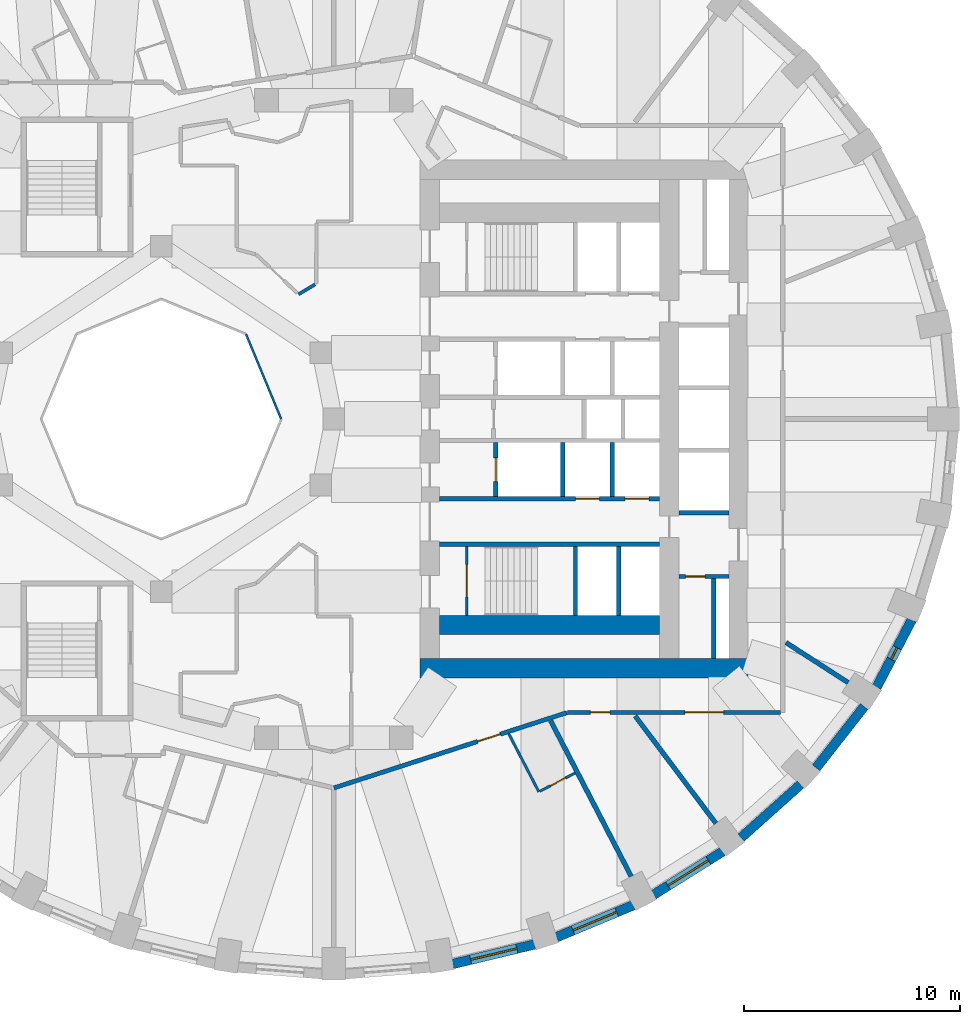
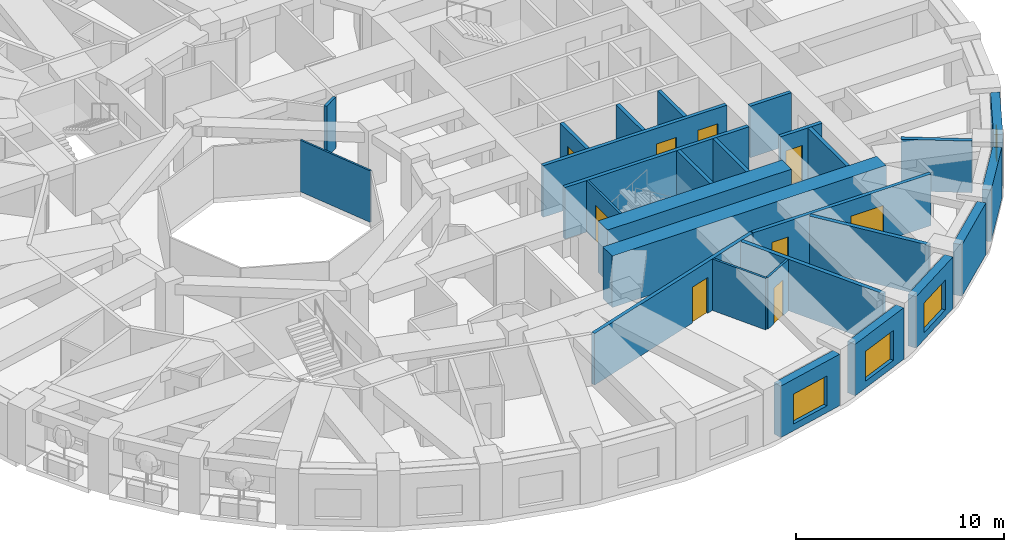
# One storey, part 5 of 13: 28 walls, 9 doors, 4 windows, 13 openings.
"""IFC4 building model written with IfcOpenShell, lengths in metres."""

from ifc_helpers import new_model, si_unit, direction, frame, frame_2d, origin, place, context, subcontext, project, spatial, rectangle, extrude, material, layer, layer_set, type_object, element, fill, save


model = new_model("IFC4")

# Units and contexts
model_context = context("Model", 3, precision=1e-05, world=origin(), true_north=direction((0.0, 1.0)))
body_context = subcontext(model_context, "Body", "Model", "MODEL_VIEW")
ifc_project = project(units=[si_unit("LENGTHUNIT", "METRE"), si_unit("AREAUNIT", "SQUARE_METRE"), si_unit("VOLUMEUNIT", "CUBIC_METRE"), si_unit("PLANEANGLEUNIT", "RADIAN"), si_unit("MASSUNIT", "GRAM", prefix="KILO")], contexts=[model_context])

# Site, building, storey
site_placement = place(None, origin())
site = spatial("IfcSite", under=ifc_project, at=site_placement, CompositionType="ELEMENT")
building_placement = place(site_placement, origin())
building = spatial("IfcBuilding", under=site, at=building_placement, Name="Taillehof Tower", CompositionType="ELEMENT")
storey_placement = place(building_placement, frame((0.0, 0.0, 51.39990234375)))
storey = spatial("IfcBuildingStorey", under=building, at=storey_placement, Name="L13", CompositionType="ELEMENT", Elevation=51.39990234375)

# Wall
ifc_material_1 = material(Name="Fire-resisting glass in steel frame", Category="steel")
ifc_layer_1 = layer(ifc_material_1, 0.10009765625)
ifc_layer_set_1 = layer_set([ifc_layer_1], Name="Atrium fire-resisting screen EI 60 100")
wall_type_1 = type_object("IfcWallType", Name="Atrium fire-resisting screen EI 60 100", PredefinedType="PARTITIONING", material=ifc_layer_set_1)
wall_1_placement = place(storey_placement, frame((-4.07275390625, 3.92724609375, 0.0), z_axis=(0.0, 0.0, 1.0), x_axis=(0.382730523909, -0.923860025149, 0.0)))
element("IfcWall", 1, at=wall_1_placement, inside=storey, type_object=wall_type_1, Name="Atrium screen", PredefinedType="PARTITIONING", context=body_context, shape_type="SweptSolid", body=[
    extrude(rectangle(XDim=4.2509765625, YDim=0.10009765625, at=frame_2d((2.12548828125, 0.0))), origin(), (0.0, 0.0, 1.0), 3.02001953125),
])

# Wall, opening, window
ifc_material_2 = material(Name="Brick masonry", Category="masonry")
ifc_layer_2 = layer(ifc_material_2, 0.449951171875)
ifc_layer_set_2 = layer_set([ifc_layer_2], Name="Brick infill wall 450")
wall_type_2 = type_object("IfcWallType", Name="Brick infill wall 450", PredefinedType="SOLIDWALL", material=ifc_layer_set_2)
wall_2_placement = place(storey_placement, frame((5.50439453125, -25.260498046875, 0.0), z_axis=(0.0, 0.0, 1.0), x_axis=(0.972496561493, 0.232917233979, 0.0)))
wall_2 = element("IfcWall", 2, at=wall_2_placement, inside=storey, type_object=wall_type_2, Name="Brick wall L13 bay 29", PredefinedType="SOLIDWALL", context=body_context, shape_type="SweptSolid", body=[
    extrude(rectangle(XDim=3.910888671875, YDim=0.449951171875, at=frame_2d((1.95556640625, 0.0))), origin(), (0.0, 0.0, 1.0), 3.02001953125),
])
opening_1_placement = place(wall_2_placement, frame((0.855224609375, 0.0, 0.39990234375)))
opening_1 = element("IfcOpeningElement", 3, at=opening_1_placement, cuts=wall_2, Name="Opening W1", PredefinedType="OPENING", context=body_context, shape_type="SweptSolid", body=[
    extrude(rectangle(XDim=2.199951171875, YDim=1.75, at=frame_2d((1.10009765625, 0.875))), frame((0.0, 0.23486328125, 0.0), z_axis=(0.0, -1.0, 0.0), x_axis=(1.0, 0.0, 0.0)), (0.0, 0.0, 1.0), 0.469970703125),
])
ifc_material_3 = material(Name="Aluminium window frame with clear double glazing", Category="aluminium")
window_type_1 = type_object("IfcWindowType", Name="Deep-set window 2200x1750", PartitioningType="SINGLE_PANEL", PredefinedType="WINDOW", material=ifc_material_3)
window_1_placement = place(opening_1_placement, origin())
window_1 = element("IfcWindow", 4, at=window_1_placement, inside=storey, type_object=window_type_1, Name="W1", OverallHeight=1.75, OverallWidth=2.199951171875, PartitioningType="SINGLE_PANEL", PredefinedType="WINDOW", context=body_context, shape_type="SweptSolid", body=[
    extrude(rectangle(XDim=2.199951171875, YDim=1.75, at=frame_2d((1.10009765625, 0.875))), frame((0.0, 0.034912109375, 0.0), z_axis=(0.0, -1.0, 0.0), x_axis=(1.0, 0.0, 0.0)), (0.0, 0.0, 1.0), 0.06005859375),
])
fill(opening_1, window_1)

wall_3_placement = place(storey_placement, frame((10.3154296875, -24.02099609375, 0.0), z_axis=(0.0, 0.0, 1.0), x_axis=(0.923031964282, 0.384723267966, 0.0)))
wall_3 = element("IfcWall", 5, at=wall_3_placement, inside=storey, type_object=wall_type_2, Name="Brick wall L13 bay 30", PredefinedType="SOLIDWALL", context=body_context, shape_type="SweptSolid", body=[
    extrude(rectangle(XDim=3.8564453125, YDim=0.449951171875, at=frame_2d((1.92822265625, 0.0))), origin(), (0.0, 0.0, 1.0), 3.02001953125),
])
opening_2_placement = place(wall_3_placement, frame((0.828125, 0.0, 0.39990234375)))
opening_2 = element("IfcOpeningElement", 6, at=opening_2_placement, cuts=wall_3, Name="Opening W1", PredefinedType="OPENING", context=body_context, shape_type="SweptSolid", body=[
    extrude(rectangle(XDim=2.199951171875, YDim=1.75, at=frame_2d((1.10009765625, 0.875))), frame((0.0, 0.23486328125, 0.0), z_axis=(0.0, -1.0, 0.0), x_axis=(1.0, 0.0, 0.0)), (0.0, 0.0, 1.0), 0.469970703125),
])
window_2_placement = place(opening_2_placement, origin())
window_2 = element("IfcWindow", 7, at=window_2_placement, inside=storey, type_object=window_type_1, Name="W1", OverallHeight=1.75, OverallWidth=2.199951171875, PartitioningType="SINGLE_PANEL", PredefinedType="WINDOW", context=body_context, shape_type="SweptSolid", body=[
    extrude(rectangle(XDim=2.199951171875, YDim=1.75, at=frame_2d((1.10009765625, 0.875))), frame((0.0, 0.034912109375, 0.0), z_axis=(0.0, -1.0, 0.0), x_axis=(1.0, 0.0, 0.0)), (0.0, 0.0, 1.0), 0.06005859375),
])
fill(opening_2, window_2)

wall_4_placement = place(storey_placement, frame((14.81689453125, -22.050537109375, 0.0), z_axis=(0.0, 0.0, 1.0), x_axis=(0.847635480093, 0.530579016629, 0.0)))
wall_4 = element("IfcWall", 8, at=wall_4_placement, inside=storey, type_object=wall_type_2, Name="Brick wall L13 bay 31", PredefinedType="SOLIDWALL", context=body_context, shape_type="SweptSolid", body=[
    extrude(rectangle(XDim=3.782470703125, YDim=0.449951171875, at=frame_2d((1.89111328125, 0.0))), origin(), (0.0, 0.0, 1.0), 3.02001953125),
])
opening_3_placement = place(wall_4_placement, frame((0.791259765625, 0.0, 0.39990234375)))
opening_3 = element("IfcOpeningElement", 9, at=opening_3_placement, cuts=wall_4, Name="Opening W1", PredefinedType="OPENING", context=body_context, shape_type="SweptSolid", body=[
    extrude(rectangle(XDim=2.199951171875, YDim=1.75, at=frame_2d((1.10009765625, 0.875))), frame((0.0, 0.23486328125, 0.0), z_axis=(0.0, -1.0, 0.0), x_axis=(1.0, 0.0, 0.0)), (0.0, 0.0, 1.0), 0.469970703125),
])
window_3_placement = place(opening_3_placement, origin())
window_3 = element("IfcWindow", 10, at=window_3_placement, inside=storey, type_object=window_type_1, Name="W1", OverallHeight=1.75, OverallWidth=2.199951171875, PartitioningType="SINGLE_PANEL", PredefinedType="WINDOW", context=body_context, shape_type="SweptSolid", body=[
    extrude(rectangle(XDim=2.199951171875, YDim=1.75, at=frame_2d((1.10009765625, 0.875))), frame((0.0, 0.034912109375, 0.0), z_axis=(0.0, -1.0, 0.0), x_axis=(1.0, 0.0, 0.0)), (0.0, 0.0, 1.0), 0.06005859375),
])
fill(opening_3, window_3)

# Walls
wall_5_placement = place(storey_placement, frame((18.87060546875, -19.406982421875, 0.0), z_axis=(0.0, 0.0, 1.0), x_axis=(0.745526233716, 0.66647628228, 0.0)))
element("IfcWall", 11, at=wall_5_placement, inside=storey, type_object=wall_type_2, Name="Brick wall L13 bay 32", PredefinedType="SOLIDWALL", context=body_context, shape_type="SweptSolid", body=[
    extrude(rectangle(XDim=3.69677734375, YDim=0.449951171875, at=frame_2d((1.848388671875, 0.0))), origin(), (0.0, 0.0, 1.0), 3.02001953125),
])
wall_6_placement = place(storey_placement, frame((22.3515625, -16.169677734375, 0.0), z_axis=(0.0, 0.0, 1.0), x_axis=(0.616661975264, 0.787228053529, 0.0)))
element("IfcWall", 12, at=wall_6_placement, inside=storey, type_object=wall_type_2, Name="Brick wall L13 bay 33", PredefinedType="SOLIDWALL", context=body_context, shape_type="SweptSolid", body=[
    extrude(rectangle(XDim=3.60986328125, YDim=0.449951171875, at=frame_2d((1.804931640625, 0.0))), origin(), (0.0, 0.0, 1.0), 3.02001953125),
])

# Wall, opening, window
wall_7_placement = place(storey_placement, frame((25.152099609375, -12.436767578125, 0.0), z_axis=(0.0, 0.0, 1.0), x_axis=(0.462492775226, 0.886623050041, 0.0)))
wall_7 = element("IfcWall", 13, at=wall_7_placement, inside=storey, type_object=wall_type_2, Name="Brick wall L13 bay 34", PredefinedType="SOLIDWALL", context=body_context, shape_type="SweptSolid", body=[
    extrude(rectangle(XDim=3.531982421875, YDim=0.449951171875, at=frame_2d((1.76611328125, 0.0))), origin(), (0.0, 0.0, 1.0), 3.02001953125),
])
opening_4_placement = place(wall_7_placement, frame((1.466064453125, 0.0, 0.39990234375)))
opening_4 = element("IfcOpeningElement", 14, at=opening_4_placement, cuts=wall_7, Name="Opening W6", PredefinedType="OPENING", context=body_context, shape_type="SweptSolid", body=[
    extrude(rectangle(XDim=0.60009765625, YDim=1.75, at=frame_2d((0.300048828125, 0.875))), frame((0.0, 0.23486328125, 0.0), z_axis=(0.0, -1.0, 0.0), x_axis=(1.0, 0.0, 0.0)), (0.0, 0.0, 1.0), 0.469970703125),
])
ifc_material_4 = material(Name="Aluminium window frame with clear double glazing", Category="aluminium")
window_type_2 = type_object("IfcWindowType", Name="Slot window 600x1750", PartitioningType="SINGLE_PANEL", PredefinedType="WINDOW", material=ifc_material_4)
window_4_placement = place(opening_4_placement, origin())
window_4 = element("IfcWindow", 15, at=window_4_placement, inside=storey, type_object=window_type_2, Name="W6", OverallHeight=1.75, OverallWidth=0.60009765625, PartitioningType="SINGLE_PANEL", PredefinedType="WINDOW", context=body_context, shape_type="SweptSolid", body=[
    extrude(rectangle(XDim=0.60009765625, YDim=1.75, at=frame_2d((0.300048828125, 0.875))), frame((0.0, 0.034912109375, 0.0), z_axis=(0.0, -1.0, 0.0), x_axis=(1.0, 0.0, 0.0)), (0.0, 0.0, 1.0), 0.06005859375),
])
fill(opening_4, window_4)

# Wall, opening, door
ifc_material_5 = material(Name="Calcium silicate masonry", Category="masonry")
ifc_layer_3 = layer(ifc_material_5, 0.199951171875)
ifc_layer_set_3 = layer_set([ifc_layer_3], Name="Compartment wall calcium silicate 200")
wall_type_3 = type_object("IfcWallType", Name="Compartment wall calcium silicate 200", PredefinedType="PARTITIONING", material=ifc_layer_set_3)
wall_8_placement = place(storey_placement, frame((16.0, -7.300048828125, 0.0), z_axis=(0.0, 0.0, 1.0), x_axis=(1.0, 0.0, 0.0)))
wall_8 = element("IfcWall", 16, at=wall_8_placement, inside=storey, type_object=wall_type_3, Name="Compartment wall FW", PredefinedType="PARTITIONING", context=body_context, shape_type="SweptSolid", body=[
    extrude(rectangle(XDim=2.300048828125, YDim=0.199951171875, at=frame_2d((1.14990234375, 0.0))), origin(), (0.0, 0.0, 1.0), 3.02001953125),
])
opening_5_placement = place(wall_8_placement, frame((0.300048828125, 0.0, 0.0)))
opening_5 = element("IfcOpeningElement", 17, at=opening_5_placement, cuts=wall_8, Name="Opening D1318", PredefinedType="OPENING", context=body_context, shape_type="SweptSolid", body=[
    extrude(rectangle(XDim=0.89990234375, YDim=2.10009765625, at=frame_2d((0.449951171875, 1.050048828125))), frame((0.0, 0.10986328125, 0.0), z_axis=(0.0, -1.0, 0.0), x_axis=(1.0, 0.0, 0.0)), (0.0, 0.0, 1.0), 0.219970703125),
])
ifc_material_6 = material(Name="Steel-faced fire door", Category="steel")
door_type_1 = type_object("IfcDoorType", Name="Riser and service room door 900x2100", OperationType="SINGLE_SWING_LEFT", PredefinedType="DOOR", material=ifc_material_6)
door_1_placement = place(opening_5_placement, origin())
door_1 = element("IfcDoor", 18, at=door_1_placement, inside=storey, type_object=door_type_1, Name="Door Bms Room", OperationType="SINGLE_SWING_LEFT", OverallHeight=2.10009765625, OverallWidth=0.89990234375, PredefinedType="DOOR", context=body_context, shape_type="SweptSolid", body=[
    extrude(rectangle(XDim=0.89990234375, YDim=2.10009765625, at=frame_2d((0.449951171875, 1.050048828125))), frame((0.0, 0.02490234375, 0.0), z_axis=(0.0, -1.0, 0.0), x_axis=(1.0, 0.0, 0.0)), (0.0, 0.0, 1.0), 0.050048828125),
])
fill(opening_5, door_1)

# Wall
wall_9_placement = place(storey_placement, frame((17.60009765625, -11.10009765625, 0.0), z_axis=(0.0, 0.0, 1.0), x_axis=(0.0, 1.0, 0.0)))
element("IfcWall", 19, at=wall_9_placement, inside=storey, type_object=wall_type_3, Name="Compartment wall FW", PredefinedType="PARTITIONING", context=body_context, shape_type="SweptSolid", body=[
    extrude(rectangle(XDim=3.7001953125, YDim=0.199951171875, at=frame_2d((1.85009765625, 0.0))), origin(), (0.0, 0.0, 1.0), 3.02001953125),
])

# Wall, openings, doors
ifc_material_7 = material(Name="Gypsum board on steel studs, two layers each side", Category="steel")
ifc_layer_4 = layer(ifc_material_7, 0.199951171875)
ifc_layer_set_4 = layer_set([ifc_layer_4], Name="Compartment wall corridor 200")
wall_type_4 = type_object("IfcWallType", Name="Compartment wall corridor 200", PredefinedType="PARTITIONING", material=ifc_layer_set_4)
wall_10_placement = place(storey_placement, frame((20.699951171875, -13.60009765625, 0.0), z_axis=(0.0, 0.0, 1.0), x_axis=(-1.0, 0.0, 0.0)))
wall_10 = element("IfcWall", 20, at=wall_10_placement, inside=storey, type_object=wall_type_4, Name="Compartment wall", PredefinedType="PARTITIONING", context=body_context, shape_type="SweptSolid", body=[
    extrude(rectangle(XDim=9.86962890625, YDim=0.199951171875, at=frame_2d((4.934814453125, 0.0))), origin(), (0.0, 0.0, 1.0), 3.02001953125),
])
opening_6_placement = place(wall_10_placement, frame((7.9091796875, 0.0, 0.0)))
opening_6 = element("IfcOpeningElement", 21, at=opening_6_placement, cuts=wall_10, Name="Opening D1363", PredefinedType="OPENING", context=body_context, shape_type="SweptSolid", body=[
    extrude(rectangle(XDim=0.89990234375, YDim=2.10009765625, at=frame_2d((0.449951171875, 1.050048828125))), frame((0.0, 0.10986328125, 0.0), z_axis=(0.0, -1.0, 0.0), x_axis=(1.0, 0.0, 0.0)), (0.0, 0.0, 1.0), 0.219970703125),
])
opening_7_placement = place(wall_10_placement, frame((2.6376953125, 0.0, 0.0)))
opening_7 = element("IfcOpeningElement", 22, at=opening_7_placement, cuts=wall_10, Name="Opening D1364", PredefinedType="OPENING", context=body_context, shape_type="SweptSolid", body=[
    extrude(rectangle(XDim=1.800048828125, YDim=2.10009765625, at=frame_2d((0.89990234375, 1.050048828125))), frame((0.0, 0.10986328125, 0.0), z_axis=(0.0, -1.0, 0.0), x_axis=(1.0, 0.0, 0.0)), (0.0, 0.0, 1.0), 0.219970703125),
])
ifc_material_8 = material(Name="Timber door leaf in steel frame", Category="steel")
door_type_2 = type_object("IfcDoorType", Name="Lounge and meeting room double door EI 30 1800 x 2100", OperationType="SINGLE_SWING_LEFT", PredefinedType="DOOR", material=ifc_material_8)
door_2_placement = place(opening_7_placement, origin())
door_2 = element("IfcDoor", 23, at=door_2_placement, inside=storey, type_object=door_type_2, Name="D1364", OperationType="DOUBLE_DOOR_SINGLE_SWING", OverallHeight=2.10009765625, OverallWidth=1.800048828125, PredefinedType="DOOR", context=body_context, shape_type="SweptSolid", body=[
    extrude(rectangle(XDim=1.800048828125, YDim=2.10009765625, at=frame_2d((0.89990234375, 1.050048828125))), frame((0.0, 0.02490234375, 0.0), z_axis=(0.0, -1.0, 0.0), x_axis=(1.0, 0.0, 0.0)), (0.0, 0.0, 1.0), 0.050048828125),
])
fill(opening_7, door_2)
ifc_material_9 = material(Name="Timber door leaf in steel frame", Category="steel")
door_type_3 = type_object("IfcDoorType", Name="Service room door EI 30 900 x 2100", OperationType="SINGLE_SWING_LEFT", PredefinedType="DOOR", material=ifc_material_9)
door_3_placement = place(opening_6_placement, origin())
door_3 = element("IfcDoor", 24, at=door_3_placement, inside=storey, type_object=door_type_3, Name="D1363", OperationType="SINGLE_SWING_RIGHT", OverallHeight=2.10009765625, OverallWidth=0.89990234375, PredefinedType="DOOR", context=body_context, shape_type="SweptSolid", body=[
    extrude(rectangle(XDim=0.89990234375, YDim=2.10009765625, at=frame_2d((0.449951171875, 1.050048828125))), frame((0.0, 0.02490234375, 0.0), z_axis=(0.0, -1.0, 0.0), x_axis=(1.0, 0.0, 0.0)), (0.0, 0.0, 1.0), 0.050048828125),
])
fill(opening_6, door_3)

# Wall, opening, door
wall_11_placement = place(storey_placement, frame((10.792236328125, -13.6123046875, 0.0), z_axis=(0.0, 0.0, 1.0), x_axis=(-0.951542928403, -0.307515943336, 0.0)))
wall_11 = element("IfcWall", 25, at=wall_11_placement, inside=storey, type_object=wall_type_4, Name="Compartment wall", PredefinedType="PARTITIONING", context=body_context, shape_type="SweptSolid", body=[
    extrude(rectangle(XDim=11.341796875, YDim=0.199951171875, at=frame_2d((5.6708984375, 0.0))), origin(), (0.0, 0.0, 1.0), 3.02001953125),
])
opening_8_placement = place(wall_11_placement, frame((3.238525390625, 0.0, 0.0)))
opening_8 = element("IfcOpeningElement", 26, at=opening_8_placement, cuts=wall_11, Name="Opening D1361", PredefinedType="OPENING", context=body_context, shape_type="SweptSolid", body=[
    extrude(rectangle(XDim=1.10009765625, YDim=2.10009765625, at=frame_2d((0.550048828125, 1.050048828125))), frame((0.0, 0.10986328125, 0.0), z_axis=(0.0, -1.0, 0.0), x_axis=(1.0, 0.0, 0.0)), (0.0, 0.0, 1.0), 0.219970703125),
])
ifc_material_10 = material(Name="Timber door leaf in steel frame", Category="steel")
door_type_4 = type_object("IfcDoorType", Name="Suite entrance door EI 30 1100 x 2100", OperationType="SINGLE_SWING_LEFT", PredefinedType="DOOR", material=ifc_material_10)
door_4_placement = place(opening_8_placement, origin())
door_4 = element("IfcDoor", 27, at=door_4_placement, inside=storey, type_object=door_type_4, Name="D1361", OperationType="SINGLE_SWING_LEFT", OverallHeight=2.10009765625, OverallWidth=1.10009765625, PredefinedType="DOOR", context=body_context, shape_type="SweptSolid", body=[
    extrude(rectangle(XDim=1.10009765625, YDim=2.10009765625, at=frame_2d((0.550048828125, 1.050048828125))), frame((0.0, 0.02490234375, 0.0), z_axis=(0.0, -1.0, 0.0), x_axis=(1.0, 0.0, 0.0)), (0.0, 0.0, 1.0), 0.050048828125),
])
fill(opening_8, door_4)

# Walls
ifc_material_11 = material(Name="Gypsum board on double steel studs with mineral wool", Category="steel")
ifc_layer_5 = layer(ifc_material_11, 0.219970703125)
ifc_layer_set_5 = layer_set([ifc_layer_5], Name="Compartment wall guest room 220")
wall_type_5 = type_object("IfcWallType", Name="Compartment wall guest room 220", PredefinedType="PARTITIONING", material=ifc_layer_set_5)
wall_12_placement = place(storey_placement, frame((13.7802734375, -21.201171875, 0.0), z_axis=(0.0, 0.0, 1.0), x_axis=(-0.459685115008, 0.888081975405, 0.0)))
element("IfcWall", 28, at=wall_12_placement, inside=storey, type_object=wall_type_5, Name="Compartment wall", PredefinedType="PARTITIONING", context=body_context, shape_type="SweptSolid", body=[
    extrude(rectangle(XDim=8.130615234375, YDim=0.219970703125, at=frame_2d((4.0654296875, 0.0))), origin(), (0.0, 0.0, 1.0), 3.02001953125),
])
wall_13_placement = place(storey_placement, frame((17.707763671875, -18.7431640625, 0.0), z_axis=(0.0, 0.0, 1.0), x_axis=(-0.601177883261, 0.799115231164, 0.0)))
element("IfcWall", 29, at=wall_13_placement, inside=storey, type_object=wall_type_5, Name="Compartment wall", PredefinedType="PARTITIONING", context=body_context, shape_type="SweptSolid", body=[
    extrude(rectangle(XDim=6.231201171875, YDim=0.219970703125, at=frame_2d((3.11572265625, 0.0))), origin(), (0.0, 0.0, 1.0), 3.02001953125),
])
wall_14_placement = place(storey_placement, frame((23.834716796875, -12.218994140625, 0.0), z_axis=(0.0, 0.0, 1.0), x_axis=(-0.840694872373, 0.541509124176, 0.0)))
element("IfcWall", 30, at=wall_14_placement, inside=storey, type_object=wall_type_5, Name="Compartment wall", PredefinedType="PARTITIONING", context=body_context, shape_type="SweptSolid", body=[
    extrude(rectangle(XDim=3.430419921875, YDim=0.219970703125, at=frame_2d((1.71533203125, 0.0))), origin(), (0.0, 0.0, 1.0), 3.02001953125),
])
ifc_material_12 = material(Name="Gypsum board on steel studs, two layers each side", Category="steel")
ifc_layer_6 = layer(ifc_material_12, 0.14990234375)
ifc_layer_set_6 = layer_set([ifc_layer_6], Name="Compartment wall service room 150")
wall_type_6 = type_object("IfcWallType", Name="Compartment wall service room 150", PredefinedType="PARTITIONING", material=ifc_layer_set_6)
wall_15_placement = place(storey_placement, frame((-0.87353515625, 6.234375, 0.0), z_axis=(0.0, 0.0, 1.0), x_axis=(-0.857759476535, -0.514051242984, 0.0)))
element("IfcWall", 31, at=wall_15_placement, inside=storey, type_object=wall_type_6, Name="Compartment wall", PredefinedType="PARTITIONING", context=body_context, shape_type="SweptSolid", body=[
    extrude(rectangle(XDim=0.888671875, YDim=0.14990234375, at=frame_2d((0.4443359375, 0.0))), origin(), (0.0, 0.0, 1.0), 3.02001953125),
])
ifc_material_13 = material(Name="Concrete C80/95", Category="concrete")
ifc_layer_7 = layer(ifc_material_13, 0.89990234375)
ifc_layer_set_7 = layer_set([ifc_layer_7], Name="Core wall C80/95 900")
wall_type_7 = type_object("IfcWallType", Name="Core wall C80/95 900", PredefinedType="SHEAR", material=ifc_layer_set_7)
wall_16_placement = place(storey_placement, frame((4.0, -11.550048828125, 0.0), z_axis=(0.0, 0.0, 1.0), x_axis=(1.0, 0.0, 0.0)))
element("IfcWall", 32, at=wall_16_placement, inside=storey, type_object=wall_type_7, Name="Core wall CW04", PredefinedType="SHEAR", context=body_context, shape_type="SweptSolid", body=[
    extrude(rectangle(XDim=15.199951171875, YDim=0.89990234375, at=frame_2d((7.60009765625, 0.0))), origin(), (0.0, 0.0, 1.0), 3.02001953125),
])
wall_17_placement = place(storey_placement, frame((4.89990234375, -9.550048828125, 0.0), z_axis=(0.0, 0.0, 1.0), x_axis=(1.0, 0.0, 0.0)))
element("IfcWall", 33, at=wall_17_placement, inside=storey, type_object=wall_type_7, Name="Core wall CW07", PredefinedType="SHEAR", context=body_context, shape_type="SweptSolid", body=[
    extrude(rectangle(XDim=10.2001953125, YDim=0.89990234375, at=frame_2d((5.10009765625, 0.0))), origin(), (0.0, 0.0, 1.0), 3.02001953125),
])
ifc_material_14 = material(Name="Gypsum board on steel studs, moisture resistant", Category="steel")
ifc_layer_8 = layer(ifc_material_14, 0.1201171875)
ifc_layer_set_8 = layer_set([ifc_layer_8], Name="En-suite wall 120")
wall_type_8 = type_object("IfcWallType", Name="En-suite wall 120", PredefinedType="PARTITIONING", material=ifc_layer_set_8)
wall_18_placement = place(storey_placement, frame((8.104248046875, -14.586181640625, 0.0), z_axis=(0.0, 0.0, 1.0), x_axis=(0.459668270166, -0.888090694357, 0.0)))
element("IfcWall", 34, at=wall_18_placement, inside=storey, type_object=wall_type_8, Name="En-suite wall", PredefinedType="PARTITIONING", context=body_context, shape_type="SweptSolid", body=[
    extrude(rectangle(XDim=3.03173828125, YDim=0.1201171875, at=frame_2d((1.515869140625, 0.0))), origin(), (0.0, 0.0, 1.0), 3.02001953125),
])

# Wall, opening, door
wall_19_placement = place(storey_placement, frame((9.551025390625, -17.2509765625, 0.0), z_axis=(0.0, 0.0, 1.0), x_axis=(0.88806930088, 0.459709600546, 0.0)))
wall_19 = element("IfcWall", 35, at=wall_19_placement, inside=storey, type_object=wall_type_8, Name="En-suite wall", PredefinedType="PARTITIONING", context=body_context, shape_type="SweptSolid", body=[
    extrude(rectangle(XDim=1.830078125, YDim=0.1201171875, at=frame_2d((0.9150390625, 0.0))), origin(), (0.0, 0.0, 1.0), 3.02001953125),
])
opening_9_placement = place(wall_19_placement, frame((0.5400390625, 0.0, 0.0)))
opening_9 = element("IfcOpeningElement", 36, at=opening_9_placement, cuts=wall_19, Name="Opening D1362", PredefinedType="OPENING", context=body_context, shape_type="SweptSolid", body=[
    extrude(rectangle(XDim=0.800048828125, YDim=2.10009765625, at=frame_2d((0.39990234375, 1.050048828125))), frame((0.0, 0.070068359375, 0.0), z_axis=(0.0, -1.0, 0.0), x_axis=(1.0, 0.0, 0.0)), (0.0, 0.0, 1.0), 0.14013671875),
])
ifc_material_15 = material(Name="Timber door leaf in steel frame", Category="steel")
door_type_5 = type_object("IfcDoorType", Name="En-suite door 800 x 2100", OperationType="SINGLE_SWING_LEFT", PredefinedType="DOOR", material=ifc_material_15)
door_5_placement = place(opening_9_placement, origin())
door_5 = element("IfcDoor", 37, at=door_5_placement, inside=storey, type_object=door_type_5, Name="D1362", OperationType="SINGLE_SWING_RIGHT", OverallHeight=2.10009765625, OverallWidth=0.800048828125, PredefinedType="DOOR", context=body_context, shape_type="SweptSolid", body=[
    extrude(rectangle(XDim=0.800048828125, YDim=2.10009765625, at=frame_2d((0.39990234375, 1.050048828125))), frame((0.0, 0.02490234375, 0.0), z_axis=(0.0, -1.0, 0.0), x_axis=(1.0, 0.0, 0.0)), (0.0, 0.0, 1.0), 0.050048828125),
])
fill(opening_9, door_5)

# Wall, openings, doors
ifc_material_16 = material(Name="Concrete C50/60", Category="concrete")
ifc_layer_9 = layer(ifc_material_16, 0.199951171875)
ifc_layer_set_9 = layer_set([ifc_layer_9], Name="Shaft wall C50/60 200")
wall_type_9 = type_object("IfcWallType", Name="Shaft wall C50/60 200", PredefinedType="SHEAR", material=ifc_layer_set_9)
wall_20_placement = place(storey_placement, frame((4.89990234375, -3.699951171875, 0.0), z_axis=(0.0, 0.0, 1.0), x_axis=(1.0, 0.0, 0.0)))
wall_20 = element("IfcWall", 38, at=wall_20_placement, inside=storey, type_object=wall_type_9, Name="Shaft wall SW", PredefinedType="SHEAR", context=body_context, shape_type="SweptSolid", body=[
    extrude(rectangle(XDim=10.2001953125, YDim=0.199951171875, at=frame_2d((5.10009765625, 0.0))), origin(), (0.0, 0.0, 1.0), 3.02001953125),
])
opening_10_placement = place(wall_20_placement, frame((6.300048828125, 0.0, 0.0)))
opening_10 = element("IfcOpeningElement", 39, at=opening_10_placement, cuts=wall_20, Name="Opening LD1", PredefinedType="OPENING", context=body_context, shape_type="SweptSolid", body=[
    extrude(rectangle(XDim=1.10009765625, YDim=2.10009765625, at=frame_2d((0.550048828125, 1.050048828125))), frame((0.0, 0.10986328125, 0.0), z_axis=(0.0, -1.0, 0.0), x_axis=(1.0, 0.0, 0.0)), (0.0, 0.0, 1.0), 0.219970703125),
])
opening_11_placement = place(wall_20_placement, frame((8.60009765625, 0.0, 0.0)))
opening_11 = element("IfcOpeningElement", 40, at=opening_11_placement, cuts=wall_20, Name="Opening LD1", PredefinedType="OPENING", context=body_context, shape_type="SweptSolid", body=[
    extrude(rectangle(XDim=1.10009765625, YDim=2.10009765625, at=frame_2d((0.550048828125, 1.050048828125))), frame((0.0, 0.10986328125, 0.0), z_axis=(0.0, -1.0, 0.0), x_axis=(1.0, 0.0, 0.0)), (0.0, 0.0, 1.0), 0.219970703125),
])
ifc_material_17 = material(Name="Stainless steel", Category="steel")
door_type_6 = type_object("IfcDoorType", Name="Lift landing door LD1 1100x2100", OperationType="DOUBLE_DOOR_SLIDING", PredefinedType="DOOR", material=ifc_material_17)
door_6_placement = place(opening_10_placement, origin())
door_6 = element("IfcDoor", 41, at=door_6_placement, inside=storey, type_object=door_type_6, Name="Landing door LR5", OperationType="DOUBLE_DOOR_SLIDING", OverallHeight=2.10009765625, OverallWidth=1.10009765625, PredefinedType="DOOR", context=body_context, shape_type="SweptSolid", body=[
    extrude(rectangle(XDim=1.10009765625, YDim=2.10009765625, at=frame_2d((0.550048828125, 1.050048828125))), frame((0.0, 0.02490234375, 0.0), z_axis=(0.0, -1.0, 0.0), x_axis=(1.0, 0.0, 0.0)), (0.0, 0.0, 1.0), 0.050048828125),
])
fill(opening_10, door_6)
door_7_placement = place(opening_11_placement, origin())
door_7 = element("IfcDoor", 42, at=door_7_placement, inside=storey, type_object=door_type_6, Name="Landing door LR6", OperationType="DOUBLE_DOOR_SLIDING", OverallHeight=2.10009765625, OverallWidth=1.10009765625, PredefinedType="DOOR", context=body_context, shape_type="SweptSolid", body=[
    extrude(rectangle(XDim=1.10009765625, YDim=2.10009765625, at=frame_2d((0.550048828125, 1.050048828125))), frame((0.0, 0.02490234375, 0.0), z_axis=(0.0, -1.0, 0.0), x_axis=(1.0, 0.0, 0.0)), (0.0, 0.0, 1.0), 0.050048828125),
])
fill(opening_11, door_7)

# Walls
wall_21_placement = place(storey_placement, frame((4.89990234375, -5.800048828125, 0.0), z_axis=(0.0, 0.0, 1.0), x_axis=(1.0, 0.0, 0.0)))
element("IfcWall", 43, at=wall_21_placement, inside=storey, type_object=wall_type_9, Name="Shaft wall SW", PredefinedType="SHEAR", context=body_context, shape_type="SweptSolid", body=[
    extrude(rectangle(XDim=10.2001953125, YDim=0.199951171875, at=frame_2d((5.10009765625, 0.0))), origin(), (0.0, 0.0, 1.0), 3.02001953125),
])
for number, where, z_axis, x_axis, name in (
    (44, (11.199951171875, -9.10009765625, 0.0), (0.0, 0.0, 1.0), (0.0, 1.0, 0.0), "Shaft wall SW"),
    (45, (13.199951171875, -9.10009765625, 0.0), (0.0, 0.0, 1.0), (0.0, 1.0, 0.0), "Shaft wall SW"),
):
    element("IfcWall", number, at=place(storey_placement, frame(where, z_axis=z_axis, x_axis=x_axis)), inside=storey, type_object=wall_type_9, Name=name, PredefinedType="SHEAR", context=body_context, shape_type="SweptSolid", body=[
        extrude(rectangle(XDim=3.2001953125, YDim=0.199951171875, at=frame_2d((1.60009765625, 0.0))), origin(), (0.0, 0.0, 1.0), 3.02001953125),
    ])

# Wall, opening, door
wall_22_placement = place(storey_placement, frame((7.5, -3.60009765625, 0.0), z_axis=(0.0, 0.0, 1.0), x_axis=(0.0, 1.0, 0.0)))
wall_22 = element("IfcWall", 46, at=wall_22_placement, inside=storey, type_object=wall_type_9, Name="Shaft wall SW", PredefinedType="SHEAR", context=body_context, shape_type="SweptSolid", body=[
    extrude(rectangle(XDim=2.5, YDim=0.199951171875, at=frame_2d((1.25, 0.0))), origin(), (0.0, 0.0, 1.0), 3.02001953125),
])
opening_12_placement = place(wall_22_placement, frame((0.699951171875, 0.0, 0.0)))
opening_12 = element("IfcOpeningElement", 47, at=opening_12_placement, cuts=wall_22, Name="Opening LD1", PredefinedType="OPENING", context=body_context, shape_type="SweptSolid", body=[
    extrude(rectangle(XDim=1.10009765625, YDim=2.10009765625, at=frame_2d((0.550048828125, 1.050048828125))), frame((0.0, 0.10986328125, 0.0), z_axis=(0.0, -1.0, 0.0), x_axis=(1.0, 0.0, 0.0)), (0.0, 0.0, 1.0), 0.219970703125),
])
door_8_placement = place(opening_12_placement, origin())
door_8 = element("IfcDoor", 48, at=door_8_placement, inside=storey, type_object=door_type_6, Name="Landing door FF2", OperationType="DOUBLE_DOOR_SLIDING", OverallHeight=2.10009765625, OverallWidth=1.10009765625, PredefinedType="DOOR", context=body_context, shape_type="SweptSolid", body=[
    extrude(rectangle(XDim=1.10009765625, YDim=2.10009765625, at=frame_2d((0.550048828125, 1.050048828125))), frame((0.0, 0.02490234375, 0.0), z_axis=(0.0, -1.0, 0.0), x_axis=(1.0, 0.0, 0.0)), (0.0, 0.0, 1.0), 0.050048828125),
])
fill(opening_12, door_8)

# Walls
for number, where, z_axis, x_axis, name in (
    (49, (10.60009765625, -3.60009765625, 0.0), (0.0, 0.0, 1.0), (0.0, 1.0, 0.0), "Shaft wall SW"),
    (50, (12.89990234375, -3.60009765625, 0.0), (0.0, 0.0, 1.0), (0.0, 1.0, 0.0), "Shaft wall SW"),
):
    element("IfcWall", number, at=place(storey_placement, frame(where, z_axis=z_axis, x_axis=x_axis)), inside=storey, type_object=wall_type_9, Name=name, PredefinedType="SHEAR", context=body_context, shape_type="SweptSolid", body=[
        extrude(rectangle(XDim=2.5, YDim=0.199951171875, at=frame_2d((1.25, 0.0))), origin(), (0.0, 0.0, 1.0), 3.02001953125),
    ])
wall_23_placement = place(storey_placement, frame((16.0, -4.35009765625, 0.0), z_axis=(0.0, 0.0, 1.0), x_axis=(1.0, 0.0, 0.0)))
element("IfcWall", 51, at=wall_23_placement, inside=storey, type_object=wall_type_9, Name="Shaft wall SW", PredefinedType="SHEAR", context=body_context, shape_type="SweptSolid", body=[
    extrude(rectangle(XDim=2.300048828125, YDim=0.199951171875, at=frame_2d((1.14990234375, 0.0))), origin(), (0.0, 0.0, 1.0), 3.02001953125),
])

# Wall, opening, door
ifc_material_18 = material(Name="Concrete C50/60", Category="concrete")
ifc_layer_10 = layer(ifc_material_18, 0.1201171875)
ifc_layer_set_10 = layer_set([ifc_layer_10], Name="Stair lobby wall C50/60 120")
wall_type_10 = type_object("IfcWallType", Name="Stair lobby wall C50/60 120", PredefinedType="SHEAR", material=ifc_layer_set_10)
wall_24_placement = place(storey_placement, frame((6.159912109375, -9.10009765625, 0.0), z_axis=(0.0, 0.0, 1.0), x_axis=(0.0, 1.0, 0.0)))
wall_24 = element("IfcWall", 52, at=wall_24_placement, inside=storey, type_object=wall_type_10, Name="Compartment wall SW", PredefinedType="SHEAR", context=body_context, shape_type="SweptSolid", body=[
    extrude(rectangle(XDim=3.2001953125, YDim=0.1201171875, at=frame_2d((1.60009765625, 0.0))), origin(), (0.0, 0.0, 1.0), 3.02001953125),
])
opening_13_placement = place(wall_24_placement, frame((0.85009765625, 0.0, 0.0)))
opening_13 = element("IfcOpeningElement", 53, at=opening_13_placement, cuts=wall_24, Name="Opening D1311", PredefinedType="OPENING", context=body_context, shape_type="SweptSolid", body=[
    extrude(rectangle(XDim=1.5, YDim=2.10009765625, at=frame_2d((0.75, 1.050048828125))), frame((0.0, 0.070068359375, 0.0), z_axis=(0.0, -1.0, 0.0), x_axis=(1.0, 0.0, 0.0)), (0.0, 0.0, 1.0), 0.14013671875),
])
ifc_material_19 = material(Name="Steel-faced fire door", Category="steel")
door_type_7 = type_object("IfcDoorType", Name="Stair door 1500x2100", OperationType="DOUBLE_DOOR_SINGLE_SWING", PredefinedType="DOOR", material=ifc_material_19)
door_9_placement = place(opening_13_placement, origin())
door_9 = element("IfcDoor", 54, at=door_9_placement, inside=storey, type_object=door_type_7, Name="Stair lobby door S2", OperationType="DOUBLE_DOOR_SINGLE_SWING", OverallHeight=2.10009765625, OverallWidth=1.5, PredefinedType="DOOR", context=body_context, shape_type="SweptSolid", body=[
    extrude(rectangle(XDim=1.5, YDim=2.10009765625, at=frame_2d((0.75, 1.050048828125))), frame((0.0, 0.02490234375, 0.0), z_axis=(0.0, -1.0, 0.0), x_axis=(1.0, 0.0, 0.0)), (0.0, 0.0, 1.0), 0.050048828125),
])
fill(opening_13, door_9)

save(model, "model.ifc")
